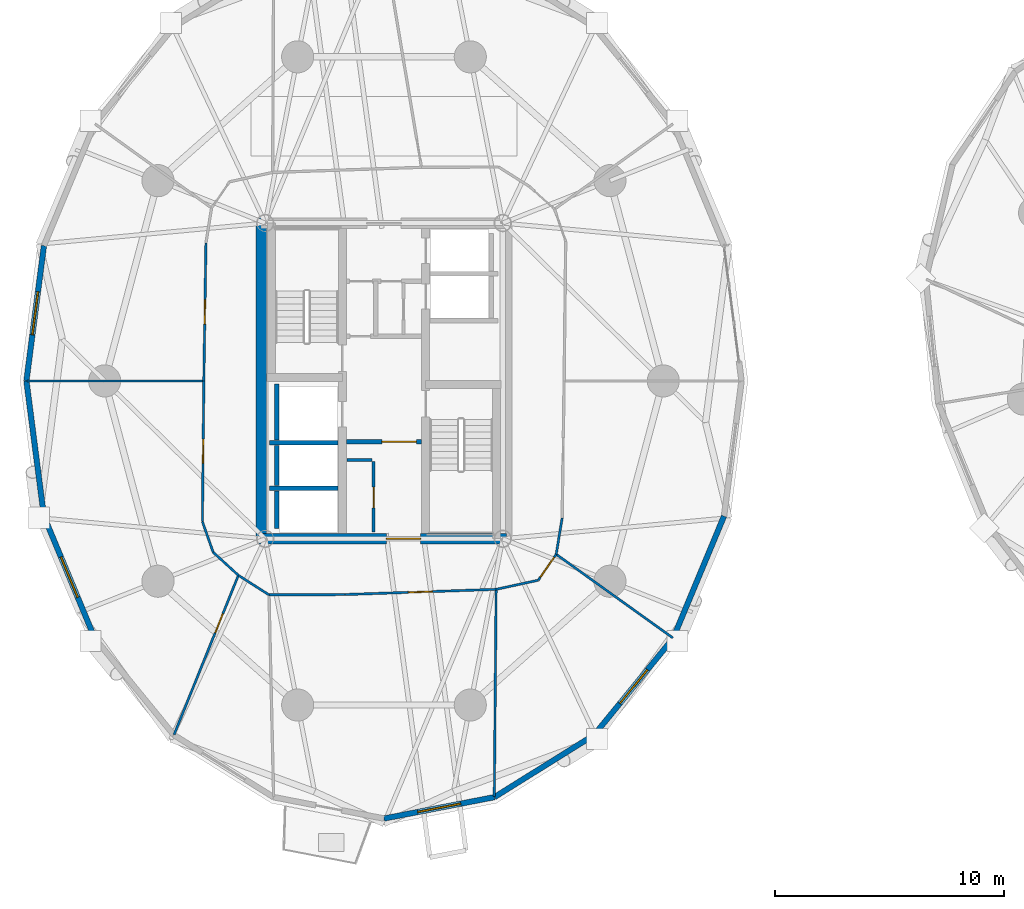
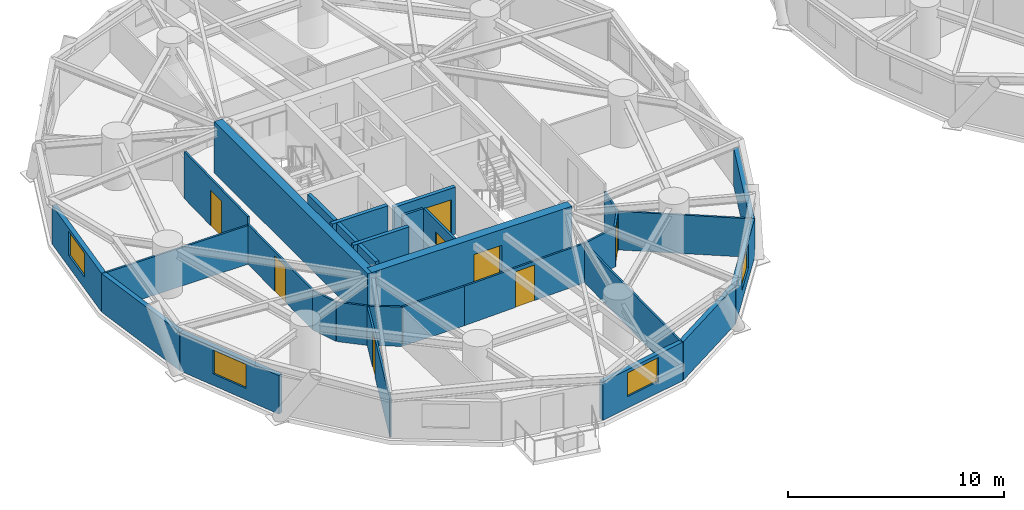
# One storey, part 10 of 18: 31 walls, 8 doors, 4 windows, 12 openings.
"""IFC4 building model written with IfcOpenShell, lengths in metres."""

from ifc_helpers import new_model, si_unit, direction, frame, frame_2d, origin, place, context, subcontext, project, spatial, rectangle, extrude, source, transform, mapped, material, layer, layer_set, type_object, element, fill, save


model = new_model("IFC4")

# Units and contexts
model_context = context("Model", 3, precision=1e-05, world=origin(), true_north=direction((0.0, 1.0)))
body_context = subcontext(model_context, "Body", "Model", "MODEL_VIEW")
ifc_project = project(units=[si_unit("LENGTHUNIT", "METRE"), si_unit("AREAUNIT", "SQUARE_METRE"), si_unit("VOLUMEUNIT", "CUBIC_METRE"), si_unit("PLANEANGLEUNIT", "RADIAN"), si_unit("MASSUNIT", "GRAM", prefix="KILO")], contexts=[model_context])

# Site, building, storey
site_placement = place(None, origin())
site = spatial("IfcSite", under=ifc_project, at=site_placement, CompositionType="ELEMENT")
building_placement = place(site_placement, origin())
building = spatial("IfcBuilding", under=site, at=building_placement, Name="Cununo Teusaquillo Station Towers", CompositionType="ELEMENT")
storey_placement = place(building_placement, frame((0.0, 0.0, 102.159912109375)))
storey = spatial("IfcBuildingStorey", under=building, at=storey_placement, Name="L32", CompositionType="ELEMENT", Elevation=102.159912109375)

# Walls
ifc_material_1 = material(Name="Concrete C50/60", Category="concrete")
ifc_layer_1 = layer(ifc_material_1, 0.199951171875)
ifc_layer_set_1 = layer_set([ifc_layer_1], Name="Concrete C50/60")
wall_type_1 = type_object("IfcWallType", Name="WL-CORE-200", PredefinedType="SHEAR", material=ifc_layer_set_1)
wall_1_placement = place(storey_placement, frame((11.52001953125, 21.800048828125, 0.0), z_axis=(0.0, 0.0, 1.0), x_axis=(1.0, 0.0, 0.0)))
element("IfcWall", 1, at=wall_1_placement, inside=storey, type_object=wall_type_1, Name="L32 Tower A Firefighting Lift Shaft South Shear Wall", PredefinedType="SHEAR", context=body_context, shape_type="SweptSolid", body=[
    extrude(rectangle(XDim=2.969970703125, YDim=0.199951171875, at=frame_2d((1.48486328125, 0.0))), origin(), (0.0, 0.0, 1.0), 2.91015625),
])
wall_2_placement = place(storey_placement, frame((11.820068359375, 21.919921875, 0.0), z_axis=(0.0, 0.0, 1.0), x_axis=(0.0, 1.0, 0.0)))
element("IfcWall", 2, at=wall_2_placement, inside=storey, type_object=wall_type_1, Name="L32 Tower A Firefighting Lift Shaft Rear Shear Wall", PredefinedType="SHEAR", context=body_context, shape_type="SweptSolid", body=[
    extrude(rectangle(XDim=2.440185546875, YDim=0.199951171875, at=frame_2d((1.22021484375, 0.0))), origin(), (0.0, 0.0, 1.0), 2.91015625),
])
wall_3_placement = place(storey_placement, frame((11.52001953125, 19.824951171875, 0.0), z_axis=(0.0, 0.0, 1.0), x_axis=(1.0, 0.0, 0.0)))
element("IfcWall", 3, at=wall_3_placement, inside=storey, type_object=wall_type_1, Name="L32 Tower A High-Rise Lift Hoistway Divider Shear Wall", PredefinedType="SHEAR", context=body_context, shape_type="SweptSolid", body=[
    extrude(rectangle(XDim=2.969970703125, YDim=0.199951171875, at=frame_2d((1.48486328125, 0.0))), origin(), (0.0, 0.0, 1.0), 2.91015625),
])
wall_4_placement = place(storey_placement, frame((11.820068359375, 19.945068359375, 0.0), z_axis=(0.0, 0.0, 1.0), x_axis=(0.0, 1.0, 0.0)))
element("IfcWall", 4, at=wall_4_placement, inside=storey, type_object=wall_type_1, Name="L32 Tower A High-Rise Lift 2 Shaft Rear Shear Wall", PredefinedType="SHEAR", context=body_context, shape_type="SweptSolid", body=[
    extrude(rectangle(XDim=1.73486328125, YDim=0.199951171875, at=frame_2d((0.867431640625, 0.0))), origin(), (0.0, 0.0, 1.0), 2.91015625),
])
wall_5_placement = place(storey_placement, frame((11.820068359375, 18.070068359375, 0.0), z_axis=(0.0, 0.0, 1.0), x_axis=(0.0, 1.0, 0.0)))
element("IfcWall", 5, at=wall_5_placement, inside=storey, type_object=wall_type_1, Name="L32 Tower A High-Rise Lift 1 Shaft Rear Shear Wall", PredefinedType="SHEAR", context=body_context, shape_type="SweptSolid", body=[
    extrude(rectangle(XDim=1.635009765625, YDim=0.199951171875, at=frame_2d((0.8173828125, 0.0))), origin(), (0.0, 0.0, 1.0), 2.91015625),
])
ifc_material_2 = material(Name="Concrete C60/75", Category="concrete")
ifc_layer_2 = layer(ifc_material_2, 0.449951171875)
ifc_layer_set_2 = layer_set([ifc_layer_2], Name="Concrete C60/75")
wall_type_2 = type_object("IfcWallType", Name="WL-CORE-450", PredefinedType="SHEAR", material=ifc_layer_set_2)
wall_6_placement = place(storey_placement, frame((11.14990234375, 17.39990234375, 0.0), z_axis=(0.0, 0.0, 1.0), x_axis=(0.0, 1.0, 0.0)))
element("IfcWall", 6, at=wall_6_placement, inside=storey, type_object=wall_type_2, Name="L32 Tower A Core Shear Wall W", PredefinedType="SHEAR", context=body_context, shape_type="SweptSolid", body=[
    extrude(rectangle(XDim=14.2001953125, YDim=0.449951171875, at=frame_2d((7.10009765625, 0.0))), origin(), (0.0, 0.0, 1.0), 2.91015625),
])

# Wall, opening, door
wall_7_placement = place(storey_placement, frame((11.14990234375, 17.625, 0.0), z_axis=(0.0, 0.0, 1.0), x_axis=(1.0, 0.0, 0.0)))
wall_7 = element("IfcWall", 7, at=wall_7_placement, inside=storey, type_object=wall_type_2, Name="L32 Tower A Core Shear Wall S", PredefinedType="SHEAR", context=body_context, shape_type="SweptSolid", body=[
    extrude(rectangle(XDim=10.7001953125, YDim=0.449951171875, at=frame_2d((5.35009765625, 0.0))), origin(), (0.0, 0.0, 1.0), 2.91015625),
])
shared_shape_1 = source(origin(), body_context, "Body", "SweptSolid", [
    extrude(rectangle(XDim=1.5, YDim=2.02001953125, at=frame_2d((0.75, 1.010009765625))), frame((0.0, 0.23486328125, 0.0), z_axis=(0.0, -1.0, 0.0), x_axis=(1.0, 0.0, 0.0)), (0.0, 0.0, 1.0), 0.469970703125),
])
opening_1_placement = place(wall_7_placement, frame((5.449951171875, 0.0, 0.0)))
opening_1 = element("IfcOpeningElement", 8, at=opening_1_placement, cuts=wall_7, Name="Opening D-LB1", PredefinedType="OPENING", context=body_context, shape_type="MappedRepresentation", body=[
    mapped(shared_shape_1, transform((0.0, 0.0, 0.0), x_axis=(1.0, 0.0, 0.0), y_axis=(0.0, 1.0, 0.0), z_axis=(0.0, 0.0, 1.0), scale=1.0)),
])
ifc_material_3 = material(Name="Galvanised fire-rated hollow steel door assembly", Category="steel")
door_type_1 = type_object("IfcDoorType", Name="DR-LOBBY-1500", OperationType="DOUBLE_DOOR_SINGLE_SWING", PredefinedType="DOOR", material=ifc_material_3)
shared_shape_2 = source(origin(), body_context, "Body", "SweptSolid", [
    extrude(rectangle(XDim=1.5, YDim=2.02001953125, at=frame_2d((0.75, 1.010009765625))), frame((0.0, 0.02490234375, 0.0), z_axis=(0.0, -1.0, 0.0), x_axis=(1.0, 0.0, 0.0)), (0.0, 0.0, 1.0), 0.050048828125),
])
door_1_placement = place(opening_1_placement, origin())
door_1 = element("IfcDoor", 9, at=door_1_placement, inside=storey, type_object=door_type_1, Name="L32 Tower A South Core Lift Lobby Door", OperationType="DOUBLE_DOOR_SINGLE_SWING", OverallHeight=2.02001953125, OverallWidth=1.5, PredefinedType="DOOR", context=body_context, shape_type="MappedRepresentation", body=[
    mapped(shared_shape_2, transform((0.0, 0.0, 0.0), x_axis=(1.0, 0.0, 0.0), y_axis=(0.0, 1.0, 0.0), z_axis=(0.0, 0.0, 1.0), scale=1.0)),
])
fill(opening_1, door_1)

# Wall, opening, window
ifc_material_4 = material(Name="Precast concrete C40/50", Category="concrete")
ifc_layer_3 = layer(ifc_material_4, 0.239990234375)
ifc_layer_set_3 = layer_set([ifc_layer_3], Name="Precast concrete C40/50")
wall_type_3 = type_object("IfcWallType", Name="WL-EXT-240", PredefinedType="SOLIDWALL", material=ifc_layer_set_3)
wall_8_placement = place(storey_placement, frame((0.9189453125, 24.5, 0.0), z_axis=(0.0, 0.0, 1.0), x_axis=(0.128351991996, 0.991728675672, 0.0)))
wall_8 = element("IfcWall", 10, at=wall_8_placement, inside=storey, type_object=wall_type_3, Name="L32 Tower A Exterior Facade Wall C09", PredefinedType="SOLIDWALL", context=body_context, shape_type="SweptSolid", body=[
    extrude(rectangle(XDim=5.942138671875, YDim=0.239990234375, at=frame_2d((2.97119140625, 0.0))), origin(), (0.0, 0.0, 1.0), 2.17919921875),
])
shared_shape_3 = source(origin(), body_context, "Body", "SweptSolid", [
    extrude(rectangle(XDim=1.89990234375, YDim=1.35009765625, at=frame_2d((0.949951171875, 0.675048828125))), frame((0.0, 0.1298828125, 0.0), z_axis=(0.0, -1.0, 0.0), x_axis=(1.0, 0.0, 0.0)), (0.0, 0.0, 1.0), 0.260009765625),
])
opening_2_placement = place(wall_8_placement, frame((2.02099609375, 0.0, 0.64990234375)))
opening_2 = element("IfcOpeningElement", 11, at=opening_2_placement, cuts=wall_8, Name="Opening WN-02", PredefinedType="OPENING", context=body_context, shape_type="MappedRepresentation", body=[
    mapped(shared_shape_3, transform((0.0, 0.0, 0.0), x_axis=(1.0, 0.0, 0.0), y_axis=(0.0, 1.0, 0.0), z_axis=(0.0, 0.0, 1.0), scale=1.0)),
])
ifc_material_5 = material(Name="Operable acoustic tinted low-E double glazing", Category="glass")
window_type = type_object("IfcWindowType", Name="WIN-OPER-1900", PartitioningType="DOUBLE_PANEL_VERTICAL", PredefinedType="WINDOW", material=ifc_material_5)
shared_shape_4 = source(origin(), body_context, "Body", "SweptSolid", [
    extrude(rectangle(XDim=1.89990234375, YDim=1.35009765625, at=frame_2d((0.949951171875, 0.675048828125))), frame((0.0, 0.030029296875, 0.0), z_axis=(0.0, -1.0, 0.0), x_axis=(1.0, 0.0, 0.0)), (0.0, 0.0, 1.0), 0.06005859375),
])
window_1_placement = place(opening_2_placement, origin())
window_1 = element("IfcWindow", 12, at=window_1_placement, inside=storey, type_object=window_type, Name="L32 Tower A Facade Window C09", OverallHeight=1.35009765625, OverallWidth=1.89990234375, PartitioningType="DOUBLE_PANEL_VERTICAL", PredefinedType="WINDOW", context=body_context, shape_type="MappedRepresentation", body=[
    mapped(shared_shape_4, transform((0.0, 0.0, 0.0), x_axis=(1.0, 0.0, 0.0), y_axis=(0.0, 1.0, 0.0), z_axis=(0.0, 0.0, 1.0), scale=1.0)),
])
fill(opening_2, window_1)

# Wall
wall_9_placement = place(storey_placement, frame((1.681640625, 18.60693359375, 0.0), z_axis=(0.0, 0.0, 1.0), x_axis=(-0.128351991996, 0.991728675672, 0.0)))
element("IfcWall", 13, at=wall_9_placement, inside=storey, type_object=wall_type_3, Name="L32 Tower A Exterior Facade Wall C10", PredefinedType="SOLIDWALL", context=body_context, shape_type="SweptSolid", body=[
    extrude(rectangle(XDim=5.942138671875, YDim=0.239990234375, at=frame_2d((2.97119140625, 0.0))), origin(), (0.0, 0.0, 1.0), 2.17919921875),
])

# Wall, opening, window
wall_10_placement = place(storey_placement, frame((3.894775390625, 13.291015625, 0.0), z_axis=(0.0, 0.0, 1.0), x_axis=(-0.384344417632, 0.923189779317, 0.0)))
wall_10 = element("IfcWall", 14, at=wall_10_placement, inside=storey, type_object=wall_type_3, Name="L32 Tower A Exterior Facade Wall C11", PredefinedType="SOLIDWALL", context=body_context, shape_type="SweptSolid", body=[
    extrude(rectangle(XDim=5.75830078125, YDim=0.239990234375, at=frame_2d((2.879150390625, 0.0))), origin(), (0.0, 0.0, 1.0), 2.17919921875),
])
opening_3_placement = place(wall_10_placement, frame((1.928955078125, 0.0, 0.64990234375)))
opening_3 = element("IfcOpeningElement", 15, at=opening_3_placement, cuts=wall_10, Name="Opening WN-02", PredefinedType="OPENING", context=body_context, shape_type="MappedRepresentation", body=[
    mapped(shared_shape_3, transform((0.0, 0.0, 0.0), x_axis=(1.0, 0.0, 0.0), y_axis=(0.0, 1.0, 0.0), z_axis=(0.0, 0.0, 1.0), scale=1.0)),
])
window_2_placement = place(opening_3_placement, origin())
window_2 = element("IfcWindow", 16, at=window_2_placement, inside=storey, type_object=window_type, Name="L32 Tower A Facade Window C11", OverallHeight=1.35009765625, OverallWidth=1.89990234375, PartitioningType="DOUBLE_PANEL_VERTICAL", PredefinedType="WINDOW", context=body_context, shape_type="MappedRepresentation", body=[
    mapped(shared_shape_4, transform((0.0, 0.0, 0.0), x_axis=(1.0, 0.0, 0.0), y_axis=(0.0, 1.0, 0.0), z_axis=(0.0, 0.0, 1.0), scale=1.0)),
])
fill(opening_3, window_2)

wall_11_placement = place(storey_placement, frame((21.314697265625, 6.36328125, 0.0), z_axis=(0.0, 0.0, 1.0), x_axis=(-0.981723785992, -0.190311344954, 0.0)))
wall_11 = element("IfcWall", 17, at=wall_11_placement, inside=storey, type_object=wall_type_3, Name="L32 Tower A Exterior Facade Wall C15", PredefinedType="SOLIDWALL", context=body_context, shape_type="SweptSolid", body=[
    extrude(rectangle(XDim=4.904296875, YDim=0.239990234375, at=frame_2d((2.4521484375, 0.0))), origin(), (0.0, 0.0, 1.0), 2.17919921875),
])
opening_4_placement = place(wall_11_placement, frame((1.501953125, 0.0, 0.64990234375)))
opening_4 = element("IfcOpeningElement", 18, at=opening_4_placement, cuts=wall_11, Name="Opening WN-02", PredefinedType="OPENING", context=body_context, shape_type="MappedRepresentation", body=[
    mapped(shared_shape_3, transform((0.0, 0.0, 0.0), x_axis=(1.0, 0.0, 0.0), y_axis=(0.0, 1.0, 0.0), z_axis=(0.0, 0.0, 1.0), scale=1.0)),
])
window_3_placement = place(opening_4_placement, origin())
window_3 = element("IfcWindow", 19, at=window_3_placement, inside=storey, type_object=window_type, Name="L32 Tower A Facade Window C15", OverallHeight=1.35009765625, OverallWidth=1.89990234375, PartitioningType="DOUBLE_PANEL_VERTICAL", PredefinedType="WINDOW", context=body_context, shape_type="MappedRepresentation", body=[
    mapped(shared_shape_4, transform((0.0, 0.0, 0.0), x_axis=(1.0, 0.0, 0.0), y_axis=(0.0, 1.0, 0.0), z_axis=(0.0, 0.0, 1.0), scale=1.0)),
])
fill(opening_4, window_3)

# Wall
wall_12_placement = place(storey_placement, frame((25.658203125, 9.072021484375, 0.0), z_axis=(0.0, 0.0, 1.0), x_axis=(-0.848520380187, -0.529162701263, 0.0)))
element("IfcWall", 20, at=wall_12_placement, inside=storey, type_object=wall_type_3, Name="L32 Tower A Exterior Facade Wall C16", PredefinedType="SOLIDWALL", context=body_context, shape_type="SweptSolid", body=[
    extrude(rectangle(XDim=5.118896484375, YDim=0.239990234375, at=frame_2d((2.5595703125, 0.0))), origin(), (0.0, 0.0, 1.0), 2.17919921875),
])

# Wall, opening, window
wall_13_placement = place(storey_placement, frame((29.105224609375, 13.291015625, 0.0), z_axis=(0.0, 0.0, 1.0), x_axis=(-0.632700781152, -0.77439635945, 0.0)))
wall_13 = element("IfcWall", 21, at=wall_13_placement, inside=storey, type_object=wall_type_3, Name="L32 Tower A Exterior Facade Wall C17", PredefinedType="SOLIDWALL", context=body_context, shape_type="SweptSolid", body=[
    extrude(rectangle(XDim=5.447998046875, YDim=0.239990234375, at=frame_2d((2.72412109375, 0.0))), origin(), (0.0, 0.0, 1.0), 2.17919921875),
])
opening_5_placement = place(wall_13_placement, frame((1.77392578125, 0.0, 0.64990234375)))
opening_5 = element("IfcOpeningElement", 22, at=opening_5_placement, cuts=wall_13, Name="Opening WN-02", PredefinedType="OPENING", context=body_context, shape_type="MappedRepresentation", body=[
    mapped(shared_shape_3, transform((0.0, 0.0, 0.0), x_axis=(1.0, 0.0, 0.0), y_axis=(0.0, 1.0, 0.0), z_axis=(0.0, 0.0, 1.0), scale=1.0)),
])
window_4_placement = place(opening_5_placement, origin())
window_4 = element("IfcWindow", 23, at=window_4_placement, inside=storey, type_object=window_type, Name="L32 Tower A Facade Window C17", OverallHeight=1.35009765625, OverallWidth=1.89990234375, PartitioningType="DOUBLE_PANEL_VERTICAL", PredefinedType="WINDOW", context=body_context, shape_type="MappedRepresentation", body=[
    mapped(shared_shape_4, transform((0.0, 0.0, 0.0), x_axis=(1.0, 0.0, 0.0), y_axis=(0.0, 1.0, 0.0), z_axis=(0.0, 0.0, 1.0), scale=1.0)),
])
fill(opening_5, window_4)

# Wall
wall_14_placement = place(storey_placement, frame((31.318359375, 18.60693359375, 0.0), z_axis=(0.0, 0.0, 1.0), x_axis=(-0.384344417632, -0.923189779317, 0.0)))
element("IfcWall", 24, at=wall_14_placement, inside=storey, type_object=wall_type_3, Name="L32 Tower A Exterior Facade Wall C18", PredefinedType="SOLIDWALL", context=body_context, shape_type="SweptSolid", body=[
    extrude(rectangle(XDim=5.75830078125, YDim=0.239990234375, at=frame_2d((2.879150390625, 0.0))), origin(), (0.0, 0.0, 1.0), 2.17919921875),
])

# Wall, opening, door
ifc_material_6 = material(Name="Fire-rated gypsum plasterboard partition assembly", Category="gypsum")
ifc_layer_4 = layer(ifc_material_6, 0.10009765625)
ifc_layer_set_4 = layer_set([ifc_layer_4], Name="Fire-rated gypsum plasterboard partition assembly")
wall_type_4 = type_object("IfcWallType", Name="WL-PART-100", PredefinedType="MOVABLE", material=ifc_layer_set_4)
wall_15_placement = place(storey_placement, frame((8.74169921875, 30.51171875, 0.0), z_axis=(0.0, 0.0, 1.0), x_axis=(-0.015267875777, -0.999883439191, 0.0)))
wall_15 = element("IfcWall", 25, at=wall_15_placement, inside=storey, type_object=wall_type_4, Name="L32 Tower A Corridor Ring Wall C09", PredefinedType="MOVABLE", context=body_context, shape_type="SweptSolid", body=[
    extrude(rectangle(XDim=6.012451171875, YDim=0.10009765625, at=frame_2d((3.00634765625, 0.0))), origin(), (0.0, 0.0, 1.0), 2.655029296875),
])
shared_shape_5 = source(origin(), body_context, "Body", "SweptSolid", [
    extrude(rectangle(XDim=1.050048828125, YDim=2.014892578125, at=frame_2d((0.52490234375, 1.00732421875))), frame((0.0, 0.06005859375, 0.0), z_axis=(0.0, -1.0, 0.0), x_axis=(1.0, 0.0, 0.0)), (0.0, 0.0, 1.0), 0.1201171875),
])
opening_6_placement = place(wall_15_placement, frame((2.481201171875, 0.0, 0.0)))
opening_6 = element("IfcOpeningElement", 26, at=opening_6_placement, cuts=wall_15, Name="Opening D-SU1", PredefinedType="OPENING", context=body_context, shape_type="MappedRepresentation", body=[
    mapped(shared_shape_5, transform((0.0, 0.0, 0.0), x_axis=(1.0, 0.0, 0.0), y_axis=(0.0, 1.0, 0.0), z_axis=(0.0, 0.0, 1.0), scale=1.0)),
])
ifc_material_7 = material(Name="Acoustic solid-core hardwood leaf assembly", Category="wood")
door_type_2 = type_object("IfcDoorType", Name="DR-SUITE-1050", OperationType="NOTDEFINED", PredefinedType="DOOR", material=ifc_material_7)
shared_shape_6 = source(origin(), body_context, "Body", "SweptSolid", [
    extrude(rectangle(XDim=1.050048828125, YDim=2.014892578125, at=frame_2d((0.52490234375, 1.00732421875))), frame((0.0, 0.02490234375, 0.0), z_axis=(0.0, -1.0, 0.0), x_axis=(1.0, 0.0, 0.0)), (0.0, 0.0, 1.0), 0.050048828125),
])
door_2_placement = place(opening_6_placement, origin())
door_2 = element("IfcDoor", 27, at=door_2_placement, inside=storey, type_object=door_type_2, Name="L32 Tower A Fixed-Income & FX Execution Desk Entrance Door", OperationType="SINGLE_SWING_LEFT", OverallHeight=2.014892578125, OverallWidth=1.050048828125, PredefinedType="DOOR", context=body_context, shape_type="MappedRepresentation", body=[
    mapped(shared_shape_6, transform((0.0, 0.0, 0.0), x_axis=(1.0, 0.0, 0.0), y_axis=(0.0, 1.0, 0.0), z_axis=(0.0, 0.0, 1.0), scale=1.0)),
])
fill(opening_6, door_2)

wall_16_placement = place(storey_placement, frame((8.64990234375, 24.5, 0.0), z_axis=(0.0, 0.0, 1.0), x_axis=(-0.010196235655, -0.999948017038, 0.0)))
wall_16 = element("IfcWall", 28, at=wall_16_placement, inside=storey, type_object=wall_type_4, Name="L32 Tower A Corridor Ring Wall C10", PredefinedType="MOVABLE", context=body_context, shape_type="SweptSolid", body=[
    extrude(rectangle(XDim=6.129638671875, YDim=0.10009765625, at=frame_2d((3.06494140625, 0.0))), origin(), (0.0, 0.0, 1.0), 2.22509765625),
])
opening_7_placement = place(wall_16_placement, frame((2.539794921875, 0.0, 0.0)))
opening_7 = element("IfcOpeningElement", 29, at=opening_7_placement, cuts=wall_16, Name="Opening D-SU1", PredefinedType="OPENING", context=body_context, shape_type="MappedRepresentation", body=[
    mapped(shared_shape_5, transform((0.0, 0.0, 0.0), x_axis=(1.0, 0.0, 0.0), y_axis=(0.0, 1.0, 0.0), z_axis=(0.0, 0.0, 1.0), scale=1.0)),
])
door_3_placement = place(opening_7_placement, origin())
door_3 = element("IfcDoor", 30, at=door_3_placement, inside=storey, type_object=door_type_2, Name="L32 Tower A Derivatives Structuring Office Entrance Door", OperationType="SINGLE_SWING_RIGHT", OverallHeight=2.014892578125, OverallWidth=1.050048828125, PredefinedType="DOOR", context=body_context, shape_type="MappedRepresentation", body=[
    mapped(shared_shape_6, transform((0.0, 0.0, 0.0), x_axis=(1.0, 0.0, 0.0), y_axis=(0.0, 1.0, 0.0), z_axis=(0.0, 0.0, 1.0), scale=1.0)),
])
fill(opening_7, door_3)

# Walls
wall_17_placement = place(storey_placement, frame((8.58740234375, 18.37060546875, 0.0), z_axis=(0.0, 0.0, 1.0), x_axis=(0.331494289155, -0.943457225452, 0.0)))
element("IfcWall", 31, at=wall_17_placement, inside=storey, type_object=wall_type_4, Name="L32 Tower A Corridor Ring Wall C11", PredefinedType="MOVABLE", context=body_context, shape_type="SweptSolid", body=[
    extrude(rectangle(XDim=1.416259765625, YDim=0.10009765625, at=frame_2d((0.7080078125, 0.0))), origin(), (0.0, 0.0, 1.0), 2.22509765625),
])
wall_18_placement = place(storey_placement, frame((9.056884765625, 17.034423828125, 0.0), z_axis=(0.0, 0.0, 1.0), x_axis=(0.737874877538, -0.674937526811, 0.0)))
element("IfcWall", 32, at=wall_18_placement, inside=storey, type_object=wall_type_4, Name="L32 Tower A Corridor Ring Wall C12", PredefinedType="MOVABLE", context=body_context, shape_type="SweptSolid", body=[
    extrude(rectangle(XDim=1.489501953125, YDim=0.10009765625, at=frame_2d((0.74462890625, 0.0))), origin(), (0.0, 0.0, 1.0), 2.22509765625),
])
wall_19_placement = place(storey_placement, frame((10.156005859375, 16.029052734375, 0.0), z_axis=(0.0, 0.0, 1.0), x_axis=(0.843127549493, -0.537713618282, 0.0)))
element("IfcWall", 33, at=wall_19_placement, inside=storey, type_object=wall_type_4, Name="L32 Tower A Corridor Ring Wall C13", PredefinedType="MOVABLE", context=body_context, shape_type="SweptSolid", body=[
    extrude(rectangle(XDim=1.582763671875, YDim=0.10009765625, at=frame_2d((0.79150390625, 0.0))), origin(), (0.0, 0.0, 1.0), 2.22509765625),
])
wall_20_placement = place(storey_placement, frame((11.490478515625, 15.177978515625, 0.0), z_axis=(0.0, 0.0, 1.0), x_axis=(0.99999260582, 0.003845556538, 0.0)))
element("IfcWall", 34, at=wall_20_placement, inside=storey, type_object=wall_type_4, Name="L32 Tower A Corridor Ring Wall C14", PredefinedType="MOVABLE", context=body_context, shape_type="SweptSolid", body=[
    extrude(rectangle(XDim=3.30126953125, YDim=0.10009765625, at=frame_2d((1.650634765625, 0.0))), origin(), (0.0, 0.0, 1.0), 2.22509765625),
])

# Wall, opening, door
wall_21_placement = place(storey_placement, frame((14.791748046875, 15.190673828125, 0.0), z_axis=(0.0, 0.0, 1.0), x_axis=(0.999405559957, 0.034475015985, 0.0)))
wall_21 = element("IfcWall", 35, at=wall_21_placement, inside=storey, type_object=wall_type_4, Name="L32 Tower A Corridor Ring Wall C15", PredefinedType="MOVABLE", context=body_context, shape_type="SweptSolid", body=[
    extrude(rectangle(XDim=6.60009765625, YDim=0.10009765625, at=frame_2d((3.300048828125, 0.0))), origin(), (0.0, 0.0, 1.0), 2.22509765625),
])
opening_8_placement = place(wall_21_placement, frame((2.775146484375, 0.0, 0.0)))
opening_8 = element("IfcOpeningElement", 36, at=opening_8_placement, cuts=wall_21, Name="Opening D-SU1", PredefinedType="OPENING", context=body_context, shape_type="MappedRepresentation", body=[
    mapped(shared_shape_5, transform((0.0, 0.0, 0.0), x_axis=(1.0, 0.0, 0.0), y_axis=(0.0, 1.0, 0.0), z_axis=(0.0, 0.0, 1.0), scale=1.0)),
])
door_4_placement = place(opening_8_placement, origin())
door_4 = element("IfcDoor", 37, at=door_4_placement, inside=storey, type_object=door_type_2, Name="L32 Tower A Algorithmic Backtesting Lab Entrance Door", OperationType="SINGLE_SWING_RIGHT", OverallHeight=2.014892578125, OverallWidth=1.050048828125, PredefinedType="DOOR", context=body_context, shape_type="MappedRepresentation", body=[
    mapped(shared_shape_6, transform((0.0, 0.0, 0.0), x_axis=(1.0, 0.0, 0.0), y_axis=(0.0, 1.0, 0.0), z_axis=(0.0, 0.0, 1.0), scale=1.0)),
])
fill(opening_8, door_4)

# Wall
wall_22_placement = place(storey_placement, frame((21.387939453125, 15.418212890625, 0.0), z_axis=(0.0, 0.0, 1.0), x_axis=(0.977297113048, 0.211873435874, 0.0)))
element("IfcWall", 38, at=wall_22_placement, inside=storey, type_object=wall_type_4, Name="L32 Tower A Corridor Ring Wall C16", PredefinedType="MOVABLE", context=body_context, shape_type="SweptSolid", body=[
    extrude(rectangle(XDim=1.877197265625, YDim=0.10009765625, at=frame_2d((0.9384765625, 0.0))), origin(), (0.0, 0.0, 1.0), 2.22509765625),
])

# Wall, opening, door
wall_23_placement = place(storey_placement, frame((23.222412109375, 15.81591796875, 0.0), z_axis=(0.0, 0.0, 1.0), x_axis=(0.57002280034, 0.821628874306, 0.0)))
wall_23 = element("IfcWall", 39, at=wall_23_placement, inside=storey, type_object=wall_type_4, Name="L32 Tower A Corridor Ring Wall C17", PredefinedType="MOVABLE", context=body_context, shape_type="SweptSolid", body=[
    extrude(rectangle(XDim=1.3740234375, YDim=0.10009765625, at=frame_2d((0.68701171875, 0.0))), origin(), (0.0, 0.0, 1.0), 2.22509765625),
])
opening_9_placement = place(wall_23_placement, frame((0.162109375, 0.0, 0.0)))
opening_9 = element("IfcOpeningElement", 40, at=opening_9_placement, cuts=wall_23, Name="Opening D-SU1", PredefinedType="OPENING", context=body_context, shape_type="MappedRepresentation", body=[
    mapped(shared_shape_5, transform((0.0, 0.0, 0.0), x_axis=(1.0, 0.0, 0.0), y_axis=(0.0, 1.0, 0.0), z_axis=(0.0, 0.0, 1.0), scale=1.0)),
])
door_5_placement = place(opening_9_placement, origin())
door_5 = element("IfcDoor", 41, at=door_5_placement, inside=storey, type_object=door_type_2, Name="L32 Tower A Traders Quiet Recovery Pantry Entrance Door", OperationType="SINGLE_SWING_LEFT", OverallHeight=2.014892578125, OverallWidth=1.050048828125, PredefinedType="DOOR", context=body_context, shape_type="MappedRepresentation", body=[
    mapped(shared_shape_6, transform((0.0, 0.0, 0.0), x_axis=(1.0, 0.0, 0.0), y_axis=(0.0, 1.0, 0.0), z_axis=(0.0, 0.0, 1.0), scale=1.0)),
])
fill(opening_9, door_5)

# Walls
wall_24_placement = place(storey_placement, frame((24.005615234375, 16.94482421875, 0.0), z_axis=(0.0, 0.0, 1.0), x_axis=(0.161240753481, 0.986915102436, 0.0)))
element("IfcWall", 42, at=wall_24_placement, inside=storey, type_object=wall_type_4, Name="L32 Tower A Corridor Ring Wall C18", PredefinedType="MOVABLE", context=body_context, shape_type="SweptSolid", body=[
    extrude(rectangle(XDim=1.60498046875, YDim=0.10009765625, at=frame_2d((0.802490234375, 0.0))), origin(), (0.0, 0.0, 1.0), 2.22509765625),
])
wall_25_placement = place(storey_placement, frame((8.64990234375, 24.5, 0.0), z_axis=(0.0, 0.0, 1.0), x_axis=(-1.0, 0.0, 0.0)))
element("IfcWall", 43, at=wall_25_placement, inside=storey, type_object=wall_type_4, Name="L32 Tower A Radial Suite Partition R05", PredefinedType="MOVABLE", context=body_context, shape_type="SweptSolid", body=[
    extrude(rectangle(XDim=7.7109375, YDim=0.10009765625, at=frame_2d((3.85546875, 0.0))), origin(), (0.0, 0.0, 1.0), 2.17919921875),
])
wall_26_placement = place(storey_placement, frame((21.387939453125, 15.418212890625, 0.0), z_axis=(0.0, 0.0, 1.0), x_axis=(-0.008780834631, -0.999961447728, 0.0)))
element("IfcWall", 44, at=wall_26_placement, inside=storey, type_object=wall_type_4, Name="L32 Tower A Radial Suite Partition R07", PredefinedType="MOVABLE", context=body_context, shape_type="SweptSolid", body=[
    extrude(rectangle(XDim=9.0361328125, YDim=0.10009765625, at=frame_2d((4.51806640625, 0.0))), origin(), (0.0, 0.0, 1.0), 2.17919921875),
])
wall_27_placement = place(storey_placement, frame((24.005615234375, 16.94482421875, 0.0), z_axis=(0.0, 0.0, 1.0), x_axis=(0.81289906925, -0.582404587219, 0.0)))
element("IfcWall", 45, at=wall_27_placement, inside=storey, type_object=wall_type_4, Name="L32 Tower A Radial Suite Partition R08", PredefinedType="MOVABLE", context=body_context, shape_type="SweptSolid", body=[
    extrude(rectangle(XDim=6.25341796875, YDim=0.10009765625, at=frame_2d((3.126708984375, 0.0))), origin(), (0.0, 0.0, 1.0), 2.17919921875),
])

# Wall, opening, door
wall_28_placement = place(storey_placement, frame((10.156005859375, 16.029052734375, 0.0), z_axis=(0.0, 0.0, 1.0), x_axis=(-0.374397256956, -0.9272684045, 0.0)))
wall_28 = element("IfcWall", 46, at=wall_28_placement, inside=storey, type_object=wall_type_4, Name="L32 Tower A Derivatives Structuring Office Suite Subdividing Wall", PredefinedType="MOVABLE", context=body_context, shape_type="SweptSolid", body=[
    extrude(rectangle(XDim=7.4853515625, YDim=0.10009765625, at=frame_2d((3.74267578125, 0.0))), origin(), (0.0, 0.0, 1.0), 2.17919921875),
])
shared_shape_7 = source(origin(), body_context, "Body", "SweptSolid", [
    extrude(rectangle(XDim=0.89990234375, YDim=2.0048828125, at=frame_2d((0.449951171875, 1.00244140625))), frame((0.0, 0.06005859375, 0.0), z_axis=(0.0, -1.0, 0.0), x_axis=(1.0, 0.0, 0.0)), (0.0, 0.0, 1.0), 0.1201171875),
])
opening_10_placement = place(wall_28_placement, frame((1.800048828125, 0.0, 0.0)))
opening_10 = element("IfcOpeningElement", 47, at=opening_10_placement, cuts=wall_28, Name="Opening D-IN1", PredefinedType="OPENING", context=body_context, shape_type="MappedRepresentation", body=[
    mapped(shared_shape_7, transform((0.0, 0.0, 0.0), x_axis=(1.0, 0.0, 0.0), y_axis=(0.0, 1.0, 0.0), z_axis=(0.0, 0.0, 1.0), scale=1.0)),
])
ifc_material_8 = material(Name="Acoustic solid-core hardwood leaf assembly", Category="wood")
door_type_3 = type_object("IfcDoorType", Name="DR-INT-900", OperationType="NOTDEFINED", PredefinedType="DOOR", material=ifc_material_8)
shared_shape_8 = source(origin(), body_context, "Body", "SweptSolid", [
    extrude(rectangle(XDim=0.89990234375, YDim=2.0048828125, at=frame_2d((0.449951171875, 1.00244140625))), frame((0.0, 0.02490234375, 0.0), z_axis=(0.0, -1.0, 0.0), x_axis=(1.0, 0.0, 0.0)), (0.0, 0.0, 1.0), 0.050048828125),
])
door_6_placement = place(opening_10_placement, origin())
door_6 = element("IfcDoor", 48, at=door_6_placement, inside=storey, type_object=door_type_3, Name="L32 Tower A Derivatives Structuring Office Suite Connecting Door", OperationType="SINGLE_SWING_LEFT", OverallHeight=2.0048828125, OverallWidth=0.89990234375, PredefinedType="DOOR", context=body_context, shape_type="MappedRepresentation", body=[
    mapped(shared_shape_8, transform((0.0, 0.0, 0.0), x_axis=(1.0, 0.0, 0.0), y_axis=(0.0, 1.0, 0.0), z_axis=(0.0, 0.0, 1.0), scale=1.0)),
])
fill(opening_10, door_6)

ifc_material_9 = material(Name="Fire-rated gypsum plasterboard partition assembly", Category="gypsum")
ifc_layer_5 = layer(ifc_material_9, 0.125)
ifc_layer_set_5 = layer_set([ifc_layer_5], Name="Fire-rated gypsum plasterboard partition assembly")
wall_type_5 = type_object("IfcWallType", Name="WL-PART-125", PredefinedType="PARTITIONING", material=ifc_layer_set_5)
wall_29_placement = place(storey_placement, frame((16.050048828125, 17.919921875, 0.0), z_axis=(0.0, 0.0, 1.0), x_axis=(0.0, 1.0, 0.0)))
wall_29 = element("IfcWall", 49, at=wall_29_placement, inside=storey, type_object=wall_type_5, Name="L32 Tower A South-West Tall Store East Wall", PredefinedType="PARTITIONING", context=body_context, shape_type="SweptSolid", body=[
    extrude(rectangle(XDim=3.080078125, YDim=0.125, at=frame_2d((1.5400390625, 0.0))), origin(), (0.0, 0.0, 1.0), 2.655029296875),
])
shared_shape_9 = source(origin(), body_context, "Body", "SweptSolid", [
    extrude(rectangle(XDim=0.89990234375, YDim=2.0048828125, at=frame_2d((0.449951171875, 1.00244140625))), frame((0.0, 0.072509765625, 0.0), z_axis=(0.0, -1.0, 0.0), x_axis=(1.0, 0.0, 0.0)), (0.0, 0.0, 1.0), 0.14501953125),
])
opening_11_placement = place(wall_29_placement, frame((1.050048828125, 0.0, 0.0)))
opening_11 = element("IfcOpeningElement", 50, at=opening_11_placement, cuts=wall_29, Name="Opening D-SR1", PredefinedType="OPENING", context=body_context, shape_type="MappedRepresentation", body=[
    mapped(shared_shape_9, transform((0.0, 0.0, 0.0), x_axis=(1.0, 0.0, 0.0), y_axis=(0.0, 1.0, 0.0), z_axis=(0.0, 0.0, 1.0), scale=1.0)),
])
ifc_material_10 = material(Name="Galvanised fire-rated hollow steel door assembly", Category="steel")
door_type_4 = type_object("IfcDoorType", Name="DR-STORE-900", OperationType="NOTDEFINED", PredefinedType="DOOR", material=ifc_material_10)
door_7_placement = place(opening_11_placement, origin())
door_7 = element("IfcDoor", 51, at=door_7_placement, inside=storey, type_object=door_type_4, Name="L32 Tower A South Cleaners Store Door", OperationType="SINGLE_SWING_RIGHT", OverallHeight=2.0048828125, OverallWidth=0.89990234375, PredefinedType="DOOR", context=body_context, shape_type="MappedRepresentation", body=[
    mapped(shared_shape_8, transform((0.0, 0.0, 0.0), x_axis=(1.0, 0.0, 0.0), y_axis=(0.0, 1.0, 0.0), z_axis=(0.0, 0.0, 1.0), scale=1.0)),
])
fill(opening_11, door_7)

# Wall
wall_30_placement = place(storey_placement, frame((14.8798828125, 21.050048828125, 0.0), z_axis=(0.0, 0.0, 1.0), x_axis=(1.0, 0.0, 0.0)))
element("IfcWall", 52, at=wall_30_placement, inside=storey, type_object=wall_type_5, Name="L32 Tower A South-West Tall Store North Wall", PredefinedType="PARTITIONING", context=body_context, shape_type="SweptSolid", body=[
    extrude(rectangle(XDim=1.10009765625, YDim=0.125, at=frame_2d((0.550048828125, 0.0))), origin(), (0.0, 0.0, 1.0), 2.655029296875),
])

# Wall, opening, door
ifc_material_11 = material(Name="Fire-rated gypsum plasterboard partition assembly", Category="gypsum")
ifc_layer_6 = layer(ifc_material_11, 0.199951171875)
ifc_layer_set_6 = layer_set([ifc_layer_6], Name="Fire-rated gypsum plasterboard partition assembly")
wall_type_6 = type_object("IfcWallType", Name="WL-PART-200", PredefinedType="PARTITIONING", material=ifc_layer_set_6)
wall_31_placement = place(storey_placement, frame((14.860107421875, 21.85009765625, 0.0), z_axis=(0.0, 0.0, 1.0), x_axis=(1.0, 0.0, 0.0)))
wall_31 = element("IfcWall", 53, at=wall_31_placement, inside=storey, type_object=wall_type_6, Name="L32 Tower A Firefighting Lift Lobby South Fire Wall", PredefinedType="PARTITIONING", context=body_context, shape_type="SweptSolid", body=[
    extrude(rectangle(XDim=3.27978515625, YDim=0.199951171875, at=frame_2d((1.639892578125, 0.0))), origin(), (0.0, 0.0, 1.0), 2.655029296875),
])
shared_shape_10 = source(origin(), body_context, "Body", "SweptSolid", [
    extrude(rectangle(XDim=1.5, YDim=2.02001953125, at=frame_2d((0.75, 1.010009765625))), frame((0.0, 0.10986328125, 0.0), z_axis=(0.0, -1.0, 0.0), x_axis=(1.0, 0.0, 0.0)), (0.0, 0.0, 1.0), 0.219970703125),
])
opening_12_placement = place(wall_31_placement, frame((1.550048828125, 0.0, 0.0)))
opening_12 = element("IfcOpeningElement", 54, at=opening_12_placement, cuts=wall_31, Name="Opening D-LB1", PredefinedType="OPENING", context=body_context, shape_type="MappedRepresentation", body=[
    mapped(shared_shape_10, transform((0.0, 0.0, 0.0), x_axis=(1.0, 0.0, 0.0), y_axis=(0.0, 1.0, 0.0), z_axis=(0.0, 0.0, 1.0), scale=1.0)),
])
door_8_placement = place(opening_12_placement, origin())
door_8 = element("IfcDoor", 55, at=door_8_placement, inside=storey, type_object=door_type_1, Name="L32 Tower A Firefighting Lift Lobby South Fire Door", OperationType="DOUBLE_DOOR_SINGLE_SWING", OverallHeight=2.02001953125, OverallWidth=1.5, PredefinedType="DOOR", context=body_context, shape_type="MappedRepresentation", body=[
    mapped(shared_shape_2, transform((0.0, 0.0, 0.0), x_axis=(1.0, 0.0, 0.0), y_axis=(0.0, 1.0, 0.0), z_axis=(0.0, 0.0, 1.0), scale=1.0)),
])
fill(opening_12, door_8)

save(model, "model.ifc")
